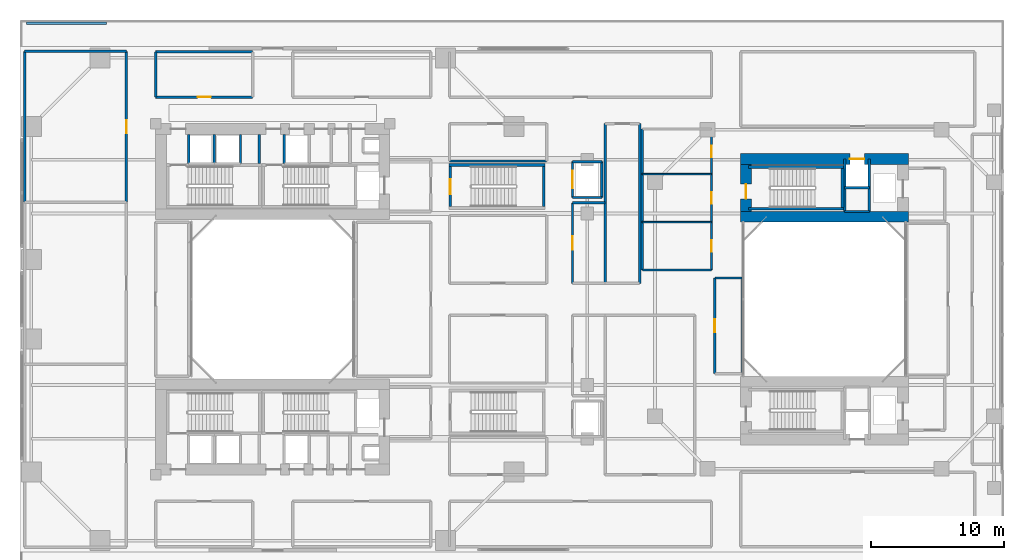
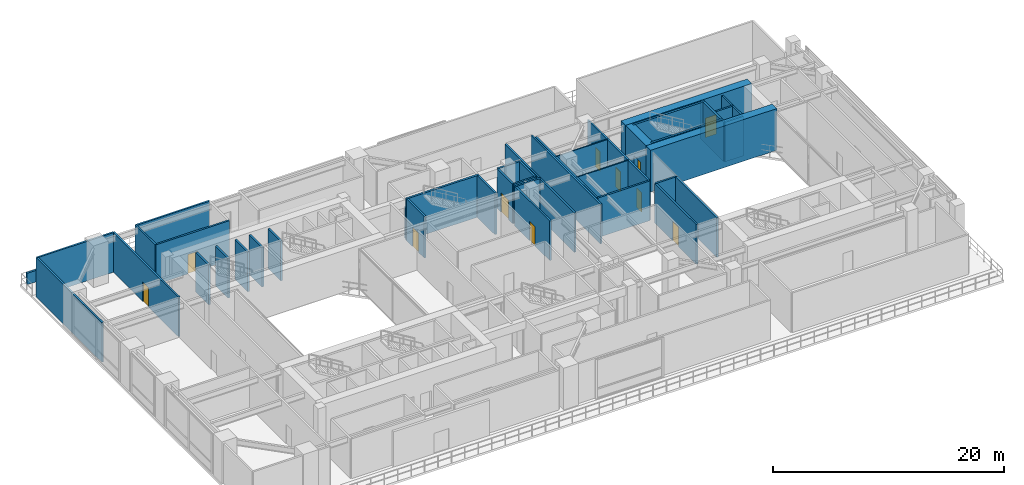
# One storey, part 13 of 19: 42 walls, 11 doors, 11 openings.
"""IFC4 building model written with IfcOpenShell, lengths in metres."""

from ifc_helpers import new_model, si_unit, direction, frame, frame_2d, origin, place, context, subcontext, project, spatial, rectangle, extrude, source, transform, mapped, material, layer, layer_set, type_object, element, fill, save


model = new_model("IFC4")

# Units and contexts
model_context = context("Model", 3, precision=1e-05, world=origin(), true_north=direction((0.0, 1.0)))
body_context = subcontext(model_context, "Body", "Model", "MODEL_VIEW")
ifc_project = project(units=[si_unit("LENGTHUNIT", "METRE"), si_unit("AREAUNIT", "SQUARE_METRE"), si_unit("VOLUMEUNIT", "CUBIC_METRE"), si_unit("PLANEANGLEUNIT", "RADIAN"), si_unit("MASSUNIT", "GRAM", prefix="KILO"), si_unit("THERMODYNAMICTEMPERATUREUNIT", "KELVIN"), si_unit("POWERUNIT", "WATT")], contexts=[model_context])

# Site, building, storey
site_placement = place(None, origin())
site = spatial("IfcSite", under=ifc_project, at=site_placement, CompositionType="ELEMENT")
building_placement = place(site_placement, origin())
building = spatial("IfcBuilding", under=site, at=building_placement, Name="Qiaomeng Ring Towers", CompositionType="ELEMENT")
storey_placement = place(building_placement, frame((0.0, 0.0, 9.39990234375)))
storey = spatial("IfcBuildingStorey", under=building, at=storey_placement, Name="L02", CompositionType="ELEMENT", Elevation=9.39990234375)

# Walls
ifc_material_1 = material(Name="Precast concrete C40", Category="concrete")
ifc_layer_1 = layer(ifc_material_1, 0.199951171875, Name="Precast concrete C40")
ifc_layer_set_1 = layer_set([ifc_layer_1], Name="Precast concrete C40")
wall_type_1 = type_object("IfcWallType", Name="ARC-WL-PP1", PredefinedType="PARAPET", material=ifc_layer_set_1)
wall_1_placement = place(storey_placement, frame((0.5, 43.75, 0.0), z_axis=(0.0, 0.0, 1.0), x_axis=(1.0, 0.0, 0.0)))
element("IfcWall", 1, at=wall_1_placement, inside=storey, type_object=wall_type_1, Name="L02 North Terrace Parapet PP1", PredefinedType="PARAPET", context=body_context, shape_type="SweptSolid", body=[
    extrude(rectangle(XDim=6.0, YDim=0.199951171875, at=frame_2d((3.0, 0.0))), origin(), (0.0, 0.0, 1.0), 1.2001953125),
])
ifc_material_2 = material(Name="Autoclaved aerated concrete block", Category="concrete")
ifc_layer_2 = layer(ifc_material_2, 0.199951171875, Name="Autoclaved aerated concrete block")
ifc_layer_set_2 = layer_set([ifc_layer_2], Name="Autoclaved aerated concrete block")
wall_type_2 = type_object("IfcWallType", Name="ARC-WL-PW1", PredefinedType="PARTITIONING", material=ifc_layer_set_2)
for number, where, z_axis, x_axis, name in (
    (2, (12.679931640625, 33.18994140625, 0.0), (0.0, 0.0, 1.0), (0.0, 1.0, 0.0), "L02 Interior Wall PW1"),
    (3, (18.0, 33.18994140625, 0.0), (0.0, 0.0, 1.0), (0.0, 1.0, 0.0), "L02 Interior Wall PW1"),
    (4, (19.8798828125, 33.18994140625, 0.0), (0.0, 0.0, 1.0), (0.0, 1.0, 0.0), "L02 Interior Wall PW1"),
):
    element("IfcWall", number, at=place(storey_placement, frame(where, z_axis=z_axis, x_axis=x_axis)), inside=storey, type_object=wall_type_2, Name=name, PredefinedType="PARTITIONING", context=body_context, shape_type="SweptSolid", body=[
        extrude(rectangle(XDim=2.2099609375, YDim=0.199951171875, at=frame_2d((1.10498046875, 0.0))), origin(), (0.0, 0.0, 1.0), 4.18017578125),
    ])

# Wall, openings, doors
ifc_layer_3 = layer(ifc_material_2, 0.179931640625, Name="Autoclaved aerated concrete block")
ifc_layer_set_3 = layer_set([ifc_layer_3], Name="Autoclaved aerated concrete block")
wall_type_3 = type_object("IfcWallType", Name="ARC-WL-PW2", PredefinedType="PARTITIONING", material=ifc_layer_set_3)
wall_2_placement = place(storey_placement, frame((52.0, 25.199951171875, 0.0), z_axis=(0.0, 0.0, 1.0), x_axis=(0.0, 1.0, 0.0)))
wall_2 = element("IfcWall", 5, at=wall_2_placement, inside=storey, type_object=wall_type_3, Name="L02 Interior Wall PW2", PredefinedType="PARTITIONING", context=body_context, shape_type="SweptSolid", body=[
    extrude(rectangle(XDim=10.60009765625, YDim=0.179931640625, at=frame_2d((5.300048828125, 0.0))), origin(), (0.0, 0.0, 1.0), 4.18017578125),
])
opening_1_placement = place(wall_2_placement, frame((1.375, 0.0, 0.0)))
opening_1 = element("IfcOpeningElement", 6, at=opening_1_placement, cuts=wall_2, Name="Opening ID2", PredefinedType="OPENING", context=body_context, shape_type="SweptSolid", body=[
    extrude(rectangle(XDim=0.85009765625, YDim=2.050048828125, at=frame_2d((0.425048828125, 1.02490234375))), frame((0.0, 0.099853515625, 0.0), z_axis=(0.0, -1.0, 0.0), x_axis=(1.0, 0.0, 0.0)), (0.0, 0.0, 1.0), 0.199951171875),
])
opening_2_placement = place(wall_2_placement, frame((4.97998046875, 0.0, 0.0)))
opening_2 = element("IfcOpeningElement", 7, at=opening_2_placement, cuts=wall_2, Name="Opening ID2", PredefinedType="OPENING", context=body_context, shape_type="SweptSolid", body=[
    extrude(rectangle(XDim=0.85009765625, YDim=2.050048828125, at=frame_2d((0.425048828125, 1.02490234375))), frame((0.0, 0.099853515625, 0.0), z_axis=(0.0, -1.0, 0.0), x_axis=(1.0, 0.0, 0.0)), (0.0, 0.0, 1.0), 0.199951171875),
])
opening_3_placement = place(wall_2_placement, frame((8.47998046875, 0.0, 0.0)))
opening_3 = element("IfcOpeningElement", 8, at=opening_3_placement, cuts=wall_2, Name="Opening ID2", PredefinedType="OPENING", context=body_context, shape_type="SweptSolid", body=[
    extrude(rectangle(XDim=0.85009765625, YDim=2.050048828125, at=frame_2d((0.425048828125, 1.02490234375))), frame((0.0, 0.099853515625, 0.0), z_axis=(0.0, -1.0, 0.0), x_axis=(1.0, 0.0, 0.0)), (0.0, 0.0, 1.0), 0.199951171875),
])
ifc_material_3 = material(Name="Moisture-resistant engineered timber", Category="wood")
door_type_1 = type_object("IfcDoorType", Name="ARC-DR-ID2", OperationType="NOTDEFINED", PredefinedType="DOOR", material=ifc_material_3)
shared_shape_1 = source(origin(), body_context, "Body", "SweptSolid", [
    extrude(rectangle(XDim=0.85009765625, YDim=2.050048828125, at=frame_2d((0.425048828125, 1.02490234375))), frame((0.0, 0.02490234375, 0.0), z_axis=(0.0, -1.0, 0.0), x_axis=(1.0, 0.0, 0.0)), (0.0, 0.0, 1.0), 0.050048828125),
])
door_1_placement = place(opening_1_placement, origin())
door_1 = element("IfcDoor", 9, at=door_1_placement, inside=storey, type_object=door_type_1, Name="L02 Door ID2", OperationType="SINGLE_SWING_RIGHT", OverallHeight=2.050048828125, OverallWidth=0.85009765625, PredefinedType="DOOR", context=body_context, shape_type="MappedRepresentation", body=[
    mapped(shared_shape_1, transform((0.0, 0.0, 0.0), x_axis=(1.0, 0.0, 0.0), y_axis=(0.0, 1.0, 0.0), z_axis=(0.0, 0.0, 1.0), scale=1.0)),
])
fill(opening_1, door_1)
door_2_placement = place(opening_2_placement, origin())
door_2 = element("IfcDoor", 10, at=door_2_placement, inside=storey, type_object=door_type_1, Name="L02 Door ID2", OperationType="SINGLE_SWING_LEFT", OverallHeight=2.050048828125, OverallWidth=0.85009765625, PredefinedType="DOOR", context=body_context, shape_type="MappedRepresentation", body=[
    mapped(shared_shape_1, transform((0.0, 0.0, 0.0), x_axis=(1.0, 0.0, 0.0), y_axis=(0.0, 1.0, 0.0), z_axis=(0.0, 0.0, 1.0), scale=1.0)),
])
fill(opening_2, door_2)
door_3_placement = place(opening_3_placement, origin())
door_3 = element("IfcDoor", 11, at=door_3_placement, inside=storey, type_object=door_type_1, Name="L02 Door ID2", OperationType="SINGLE_SWING_RIGHT", OverallHeight=2.050048828125, OverallWidth=0.85009765625, PredefinedType="DOOR", context=body_context, shape_type="MappedRepresentation", body=[
    mapped(shared_shape_1, transform((0.0, 0.0, 0.0), x_axis=(1.0, 0.0, 0.0), y_axis=(0.0, 1.0, 0.0), z_axis=(0.0, 0.0, 1.0), scale=1.0)),
])
fill(opening_3, door_3)

# Walls
wall_3_placement = place(storey_placement, frame((46.800048828125, 25.199951171875, 0.0), z_axis=(0.0, 0.0, 1.0), x_axis=(0.0, 1.0, 0.0)))
element("IfcWall", 12, at=wall_3_placement, inside=storey, type_object=wall_type_3, Name="L02 Interior Wall PW2", PredefinedType="PARTITIONING", context=body_context, shape_type="SweptSolid", body=[
    extrude(rectangle(XDim=10.60009765625, YDim=0.179931640625, at=frame_2d((5.300048828125, 0.0))), origin(), (0.0, 0.0, 1.0), 4.18017578125),
])
wall_4_placement = place(storey_placement, frame((46.800048828125, 25.199951171875, 0.0), z_axis=(0.0, 0.0, 1.0), x_axis=(1.0, 0.0, 0.0)))
element("IfcWall", 13, at=wall_4_placement, inside=storey, type_object=wall_type_3, Name="L02 Interior Wall PW2", PredefinedType="PARTITIONING", context=body_context, shape_type="SweptSolid", body=[
    extrude(rectangle(XDim=5.199951171875, YDim=0.179931640625, at=frame_2d((2.60009765625, 0.0))), origin(), (0.0, 0.0, 1.0), 4.18017578125),
])
wall_5_placement = place(storey_placement, frame((0.35009765625, 41.64990234375, 0.0), z_axis=(0.0, 0.0, 1.0), x_axis=(1.0, 0.0, 0.0)))
element("IfcWall", 14, at=wall_5_placement, inside=storey, type_object=wall_type_3, Name="L02 Interior Wall PW2", PredefinedType="PARTITIONING", context=body_context, shape_type="SweptSolid", body=[
    extrude(rectangle(XDim=7.64990234375, YDim=0.179931640625, at=frame_2d((3.824951171875, 0.0))), origin(), (0.0, 0.0, 1.0), 4.18017578125),
])
wall_6_placement = place(storey_placement, frame((0.35009765625, 30.300048828125, 0.0), z_axis=(0.0, 0.0, 1.0), x_axis=(0.0, 1.0, 0.0)))
element("IfcWall", 15, at=wall_6_placement, inside=storey, type_object=wall_type_3, Name="L02 Interior Wall PW2", PredefinedType="PARTITIONING", context=body_context, shape_type="SweptSolid", body=[
    extrude(rectangle(XDim=11.349853515625, YDim=0.179931640625, at=frame_2d((5.6748046875, 0.0))), origin(), (0.0, 0.0, 1.0), 4.18017578125),
])

# Wall, opening, door
wall_7_placement = place(storey_placement, frame((8.0, 30.300048828125, 0.0), z_axis=(0.0, 0.0, 1.0), x_axis=(0.0, 1.0, 0.0)))
wall_7 = element("IfcWall", 16, at=wall_7_placement, inside=storey, type_object=wall_type_3, Name="L02 Interior Wall PW2", PredefinedType="PARTITIONING", context=body_context, shape_type="SweptSolid", body=[
    extrude(rectangle(XDim=11.349853515625, YDim=0.179931640625, at=frame_2d((5.6748046875, 0.0))), origin(), (0.0, 0.0, 1.0), 4.18017578125),
])
opening_4_placement = place(wall_7_placement, frame((5.175048828125, 0.0, 0.0)))
opening_4 = element("IfcOpeningElement", 17, at=opening_4_placement, cuts=wall_7, Name="Opening FD4", PredefinedType="OPENING", context=body_context, shape_type="SweptSolid", body=[
    extrude(rectangle(XDim=1.0, YDim=2.050048828125, at=frame_2d((0.5, 1.02490234375))), frame((0.0, 0.099853515625, 0.0), z_axis=(0.0, -1.0, 0.0), x_axis=(1.0, 0.0, 0.0)), (0.0, 0.0, 1.0), 0.199951171875),
])
ifc_material_4 = material(Name="Engineered fire-rated oak timber", Category="wood")
door_type_2 = type_object("IfcDoorType", Name="ARC-DR-FD4", OperationType="NOTDEFINED", PredefinedType="DOOR", material=ifc_material_4)
shared_shape_2 = source(origin(), body_context, "Body", "SweptSolid", [
    extrude(rectangle(XDim=1.0, YDim=2.050048828125, at=frame_2d((0.5, 1.02490234375))), frame((0.0, 0.02490234375, 0.0), z_axis=(0.0, -1.0, 0.0), x_axis=(1.0, 0.0, 0.0)), (0.0, 0.0, 1.0), 0.050048828125),
])
door_4_placement = place(opening_4_placement, origin())
door_4 = element("IfcDoor", 18, at=door_4_placement, inside=storey, type_object=door_type_2, Name="L02 L02 Rehabilitation Physiotherapy Gymnasium Door", OperationType="SINGLE_SWING_LEFT", OverallHeight=2.050048828125, OverallWidth=1.0, PredefinedType="DOOR", context=body_context, shape_type="MappedRepresentation", body=[
    mapped(shared_shape_2, transform((0.0, 0.0, 0.0), x_axis=(1.0, 0.0, 0.0), y_axis=(0.0, 1.0, 0.0), z_axis=(0.0, 0.0, 1.0), scale=1.0)),
])
fill(opening_4, door_4)

# Walls
wall_8_placement = place(storey_placement, frame((32.300048828125, 33.39990234375, 0.0), z_axis=(0.0, 0.0, 1.0), x_axis=(1.0, 0.0, 0.0)))
element("IfcWall", 19, at=wall_8_placement, inside=storey, type_object=wall_type_3, Name="L02 Interior Wall PW2", PredefinedType="PARTITIONING", context=body_context, shape_type="SweptSolid", body=[
    extrude(rectangle(XDim=7.300048828125, YDim=0.179931640625, at=frame_2d((3.64990234375, 0.0))), origin(), (0.0, 0.0, 1.0), 3.3251953125),
])
for number, where, z_axis, x_axis, name in (
    (20, (44.0, 24.199951171875, 0.0), (0.0, 0.0, 1.0), (0.0, 1.0, 0.0), "L02 Interior Wall PW2"),
    (21, (46.60009765625, 24.199951171875, 0.0), (0.0, 0.0, 1.0), (0.0, 1.0, 0.0), "L02 Interior Wall PW2"),
):
    element("IfcWall", number, at=place(storey_placement, frame(where, z_axis=z_axis, x_axis=x_axis)), inside=storey, type_object=wall_type_3, Name=name, PredefinedType="PARTITIONING", context=body_context, shape_type="SweptSolid", body=[
        extrude(rectangle(XDim=12.0, YDim=0.179931640625, at=frame_2d((6.0, 0.0))), origin(), (0.0, 0.0, 1.0), 4.18017578125),
    ])
wall_9_placement = place(storey_placement, frame((41.550048828125, 30.25, 0.0), z_axis=(0.0, 0.0, 1.0), x_axis=(1.0, 0.0, 0.0)))
element("IfcWall", 22, at=wall_9_placement, inside=storey, type_object=wall_type_3, Name="L02 Interior Wall PW2", PredefinedType="PARTITIONING", context=body_context, shape_type="SweptSolid", body=[
    extrude(rectangle(XDim=2.449951171875, YDim=0.179931640625, at=frame_2d((1.22509765625, 0.0))), origin(), (0.0, 0.0, 1.0), 4.18017578125),
])

# Wall, opening, door
wall_10_placement = place(storey_placement, frame((41.550048828125, 24.199951171875, 0.0), z_axis=(0.0, 0.0, 1.0), x_axis=(0.0, 1.0, 0.0)))
wall_10 = element("IfcWall", 23, at=wall_10_placement, inside=storey, type_object=wall_type_3, Name="L02 Interior Wall PW2", PredefinedType="PARTITIONING", context=body_context, shape_type="SweptSolid", body=[
    extrude(rectangle(XDim=6.050048828125, YDim=0.179931640625, at=frame_2d((3.02490234375, 0.0))), origin(), (0.0, 0.0, 1.0), 4.18017578125),
])
opening_5_placement = place(wall_10_placement, frame((2.52490234375, 0.0, 0.0)))
opening_5 = element("IfcOpeningElement", 24, at=opening_5_placement, cuts=wall_10, Name="Opening FD4", PredefinedType="OPENING", context=body_context, shape_type="SweptSolid", body=[
    extrude(rectangle(XDim=1.0, YDim=2.050048828125, at=frame_2d((0.5, 1.02490234375))), frame((0.0, 0.099853515625, 0.0), z_axis=(0.0, -1.0, 0.0), x_axis=(1.0, 0.0, 0.0)), (0.0, 0.0, 1.0), 0.199951171875),
])
door_5_placement = place(opening_5_placement, origin())
door_5 = element("IfcDoor", 25, at=door_5_placement, inside=storey, type_object=door_type_2, Name="L02 L02 Health Informatics Office Door", OperationType="SINGLE_SWING_RIGHT", OverallHeight=2.050048828125, OverallWidth=1.0, PredefinedType="DOOR", context=body_context, shape_type="MappedRepresentation", body=[
    mapped(shared_shape_2, transform((0.0, 0.0, 0.0), x_axis=(1.0, 0.0, 0.0), y_axis=(0.0, 1.0, 0.0), z_axis=(0.0, 0.0, 1.0), scale=1.0)),
])
fill(opening_5, door_5)

# Wall
wall_11_placement = place(storey_placement, frame((52.25, 24.60009765625, 0.0), z_axis=(0.0, 0.0, 1.0), x_axis=(1.0, 0.0, 0.0)))
element("IfcWall", 26, at=wall_11_placement, inside=storey, type_object=wall_type_3, Name="L02 Interior Wall PW2", PredefinedType="PARTITIONING", context=body_context, shape_type="SweptSolid", body=[
    extrude(rectangle(XDim=2.050048828125, YDim=0.179931640625, at=frame_2d((1.02490234375, 0.0))), origin(), (0.0, 0.0, 1.0), 4.18017578125),
])

# Wall, opening, door
wall_12_placement = place(storey_placement, frame((52.25, 17.39990234375, 0.0), z_axis=(0.0, 0.0, 1.0), x_axis=(0.0, 1.0, 0.0)))
wall_12 = element("IfcWall", 27, at=wall_12_placement, inside=storey, type_object=wall_type_3, Name="L02 Interior Wall PW2", PredefinedType="PARTITIONING", context=body_context, shape_type="SweptSolid", body=[
    extrude(rectangle(XDim=7.2001953125, YDim=0.179931640625, at=frame_2d((3.60009765625, 0.0))), origin(), (0.0, 0.0, 1.0), 4.18017578125),
])
opening_6_placement = place(wall_12_placement, frame((3.10009765625, 0.0, 0.0)))
opening_6 = element("IfcOpeningElement", 28, at=opening_6_placement, cuts=wall_12, Name="Opening FD4", PredefinedType="OPENING", context=body_context, shape_type="SweptSolid", body=[
    extrude(rectangle(XDim=1.0, YDim=2.050048828125, at=frame_2d((0.5, 1.02490234375))), frame((0.0, 0.099853515625, 0.0), z_axis=(0.0, -1.0, 0.0), x_axis=(1.0, 0.0, 0.0)), (0.0, 0.0, 1.0), 0.199951171875),
])
door_6_placement = place(opening_6_placement, origin())
door_6 = element("IfcDoor", 29, at=door_6_placement, inside=storey, type_object=door_type_2, Name="L02 L02 Audiology Screening Clinic Door", OperationType="SINGLE_SWING_RIGHT", OverallHeight=2.050048828125, OverallWidth=1.0, PredefinedType="DOOR", context=body_context, shape_type="MappedRepresentation", body=[
    mapped(shared_shape_2, transform((0.0, 0.0, 0.0), x_axis=(1.0, 0.0, 0.0), y_axis=(0.0, 1.0, 0.0), z_axis=(0.0, 0.0, 1.0), scale=1.0)),
])
fill(opening_6, door_6)

# Wall
wall_13_placement = place(storey_placement, frame((54.300048828125, 17.39990234375, 0.0), z_axis=(0.0, 0.0, 1.0), x_axis=(0.0, 1.0, 0.0)))
element("IfcWall", 30, at=wall_13_placement, inside=storey, type_object=wall_type_3, Name="L02 Interior Wall PW2", PredefinedType="PARTITIONING", context=body_context, shape_type="SweptSolid", body=[
    extrude(rectangle(XDim=7.2001953125, YDim=0.179931640625, at=frame_2d((3.60009765625, 0.0))), origin(), (0.0, 0.0, 1.0), 4.18017578125),
])

# Wall, opening, door
wall_14_placement = place(storey_placement, frame((10.199951171875, 38.199951171875, 0.0), z_axis=(0.0, 0.0, 1.0), x_axis=(1.0, 0.0, 0.0)))
wall_14 = element("IfcWall", 31, at=wall_14_placement, inside=storey, type_object=wall_type_3, Name="L02 Interior Wall PW2", PredefinedType="PARTITIONING", context=body_context, shape_type="SweptSolid", body=[
    extrude(rectangle(XDim=7.300048828125, YDim=0.179931640625, at=frame_2d((3.64990234375, 0.0))), origin(), (0.0, 0.0, 1.0), 4.18017578125),
])
opening_7_placement = place(wall_14_placement, frame((3.14990234375, 0.0, 0.0)))
opening_7 = element("IfcOpeningElement", 32, at=opening_7_placement, cuts=wall_14, Name="Opening FD4", PredefinedType="OPENING", context=body_context, shape_type="SweptSolid", body=[
    extrude(rectangle(XDim=1.0, YDim=2.050048828125, at=frame_2d((0.5, 1.02490234375))), frame((0.0, 0.099853515625, 0.0), z_axis=(0.0, -1.0, 0.0), x_axis=(1.0, 0.0, 0.0)), (0.0, 0.0, 1.0), 0.199951171875),
])
door_7_placement = place(opening_7_placement, origin())
door_7 = element("IfcDoor", 33, at=door_7_placement, inside=storey, type_object=door_type_2, Name="L02 L02 Pediatric Care Clinic Door", OperationType="SINGLE_SWING_RIGHT", OverallHeight=2.050048828125, OverallWidth=1.0, PredefinedType="DOOR", context=body_context, shape_type="MappedRepresentation", body=[
    mapped(shared_shape_2, transform((0.0, 0.0, 0.0), x_axis=(1.0, 0.0, 0.0), y_axis=(0.0, 1.0, 0.0), z_axis=(0.0, 0.0, 1.0), scale=1.0)),
])
fill(opening_7, door_7)

# Walls
wall_15_placement = place(storey_placement, frame((10.199951171875, 41.60009765625, 0.0), z_axis=(0.0, 0.0, 1.0), x_axis=(1.0, 0.0, 0.0)))
element("IfcWall", 34, at=wall_15_placement, inside=storey, type_object=wall_type_3, Name="L02 Interior Wall PW2", PredefinedType="PARTITIONING", context=body_context, shape_type="SweptSolid", body=[
    extrude(rectangle(XDim=7.300048828125, YDim=0.179931640625, at=frame_2d((3.64990234375, 0.0))), origin(), (0.0, 0.0, 1.0), 4.18017578125),
])
wall_16_placement = place(storey_placement, frame((10.199951171875, 38.199951171875, 0.0), z_axis=(0.0, 0.0, 1.0), x_axis=(0.0, 1.0, 0.0)))
element("IfcWall", 35, at=wall_16_placement, inside=storey, type_object=wall_type_3, Name="L02 Interior Wall PW2", PredefinedType="PARTITIONING", context=body_context, shape_type="SweptSolid", body=[
    extrude(rectangle(XDim=3.400146484375, YDim=0.179931640625, at=frame_2d((1.7001953125, 0.0))), origin(), (0.0, 0.0, 1.0), 4.18017578125),
])
ifc_material_5 = material(Name="Moisture-resistant gypsum steel-stud partition", Category="steel")
ifc_layer_4 = layer(ifc_material_5, 0.1201171875, Name="Moisture-resistant gypsum steel-stud partition")
ifc_layer_set_4 = layer_set([ifc_layer_4], Name="Moisture-resistant gypsum steel-stud partition")
wall_type_4 = type_object("IfcWallType", Name="ARC-WL-PW4", PredefinedType="PLUMBINGWALL", material=ifc_layer_set_4)
for number, where, z_axis, x_axis, name in (
    (36, (46.800048828125, 28.800048828125, 0.0), (0.0, 0.0, 1.0), (1.0, 0.0, 0.0), "L02 Interior Wall PW4"),
    (37, (46.800048828125, 32.409912109375, 0.0), (0.0, 0.0, 1.0), (1.0, 0.0, 0.0), "L02 Interior Wall PW4"),
):
    element("IfcWall", number, at=place(storey_placement, frame(where, z_axis=z_axis, x_axis=x_axis)), inside=storey, type_object=wall_type_4, Name=name, PredefinedType="PLUMBINGWALL", context=body_context, shape_type="SweptSolid", body=[
        extrude(rectangle(XDim=5.199951171875, YDim=0.1201171875, at=frame_2d((2.60009765625, 0.0))), origin(), (0.0, 0.0, 1.0), 4.18017578125),
    ])
ifc_material_6 = material(Name="Concrete C40", Category="concrete")
ifc_layer_5 = layer(ifc_material_6, 0.199951171875, Name="Concrete C40")
ifc_layer_set_5 = layer_set([ifc_layer_5], Name="Concrete C40")
wall_type_5 = type_object("IfcWallType", Name="STR-WL-STSHAFT", PredefinedType="SHEAR", material=ifc_layer_set_5)
for number, where, z_axis, x_axis, name in (
    (38, (14.6201171875, 33.199951171875, 0.0), (0.0, 0.0, 1.0), (0.0, 1.0, 0.0), "L02 Lift LP5-LP3 Shaft Divider Wall"),
    (39, (16.580078125, 33.199951171875, 0.0), (0.0, 0.0, 1.0), (0.0, 1.0, 0.0), "L02 Lift LP3 East Shaft Wall"),
):
    element("IfcWall", number, at=place(storey_placement, frame(where, z_axis=z_axis, x_axis=x_axis)), inside=storey, type_object=wall_type_5, Name=name, PredefinedType="SHEAR", context=body_context, shape_type="SweptSolid", body=[
        extrude(rectangle(XDim=2.199951171875, YDim=0.179931640625, at=frame_2d((1.10009765625, 0.0))), origin(), (0.0, 0.0, 1.0), 4.18017578125),
    ])
for number, where, z_axis, x_axis, name in (
    (40, (62.02001953125, 29.60009765625, 0.0), (0.0, 0.0, 1.0), (0.0, 1.0, 0.0), "L02 Companion Lift Shaft West Wall N"),
    (41, (63.8798828125, 29.60009765625, 0.0), (0.0, 0.0, 1.0), (0.0, 1.0, 0.0), "L02 Companion Lift Shaft East Wall N"),
):
    element("IfcWall", number, at=place(storey_placement, frame(where, z_axis=z_axis, x_axis=x_axis)), inside=storey, type_object=wall_type_5, Name=name, PredefinedType="SHEAR", context=body_context, shape_type="SweptSolid", body=[
        extrude(rectangle(XDim=3.949951171875, YDim=0.179931640625, at=frame_2d((1.97509765625, 0.0))), origin(), (0.0, 0.0, 1.0), 4.18017578125),
    ])
for number, where, z_axis, x_axis, name in (
    (42, (62.02001953125, 31.3798828125, 0.0), (0.0, 0.0, 1.0), (1.0, 0.0, 0.0), "L02 Companion Lift Shaft Divider Wall N"),
    (43, (62.02001953125, 29.60009765625, 0.0), (0.0, 0.0, 1.0), (1.0, 0.0, 0.0), "L02 Companion Riser Shaft Back Wall N"),
):
    element("IfcWall", number, at=place(storey_placement, frame(where, z_axis=z_axis, x_axis=x_axis)), inside=storey, type_object=wall_type_5, Name=name, PredefinedType="SHEAR", context=body_context, shape_type="SweptSolid", body=[
        extrude(rectangle(XDim=1.85986328125, YDim=0.179931640625, at=frame_2d((0.929931640625, 0.0))), origin(), (0.0, 0.0, 1.0), 4.18017578125),
    ])

# Wall, opening, door
wall_17_placement = place(storey_placement, frame((41.550048828125, 30.64990234375, 0.0), z_axis=(0.0, 0.0, 1.0), x_axis=(0.0, 1.0, 0.0)))
wall_17 = element("IfcWall", 44, at=wall_17_placement, inside=storey, type_object=wall_type_5, Name="L02 Medical Lift LP9 West Shaft Wall", PredefinedType="SHEAR", context=body_context, shape_type="SweptSolid", body=[
    extrude(rectangle(XDim=2.7001953125, YDim=0.179931640625, at=frame_2d((1.35009765625, 0.0))), origin(), (0.0, 0.0, 1.0), 4.18017578125),
])
opening_8_placement = place(wall_17_placement, frame((0.699951171875, 0.0, 0.0)))
opening_8 = element("IfcOpeningElement", 45, at=opening_8_placement, cuts=wall_17, Name="Opening LD2", PredefinedType="OPENING", context=body_context, shape_type="SweptSolid", body=[
    extrude(rectangle(XDim=1.300048828125, YDim=2.050048828125, at=frame_2d((0.64990234375, 1.02490234375))), frame((0.0, 0.099853515625, 0.0), z_axis=(0.0, -1.0, 0.0), x_axis=(1.0, 0.0, 0.0)), (0.0, 0.0, 1.0), 0.199951171875),
])
ifc_material_7 = material(Name="Stainless steel 316", Category="steel")
door_type_3 = type_object("IfcDoorType", Name="ARC-DR-LD2", OperationType="NOTDEFINED", PredefinedType="DOOR", material=ifc_material_7)
shared_shape_3 = source(origin(), body_context, "Body", "SweptSolid", [
    extrude(rectangle(XDim=1.300048828125, YDim=2.050048828125, at=frame_2d((0.64990234375, 1.02490234375))), frame((0.0, 0.02490234375, 0.0), z_axis=(0.0, -1.0, 0.0), x_axis=(1.0, 0.0, 0.0)), (0.0, 0.0, 1.0), 0.050048828125),
])
door_8_placement = place(opening_8_placement, origin())
door_8 = element("IfcDoor", 46, at=door_8_placement, inside=storey, type_object=door_type_3, Name="L02 Medical Lift LP9 Landing Door", OperationType="SLIDING_TO_LEFT", OverallHeight=2.050048828125, OverallWidth=1.300048828125, PredefinedType="DOOR", context=body_context, shape_type="MappedRepresentation", body=[
    mapped(shared_shape_3, transform((0.0, 0.0, 0.0), x_axis=(1.0, 0.0, 0.0), y_axis=(0.0, 1.0, 0.0), z_axis=(0.0, 0.0, 1.0), scale=1.0)),
])
fill(opening_8, door_8)

# Walls
wall_18_placement = place(storey_placement, frame((43.75, 30.64990234375, 0.0), z_axis=(0.0, 0.0, 1.0), x_axis=(0.0, 1.0, 0.0)))
element("IfcWall", 47, at=wall_18_placement, inside=storey, type_object=wall_type_5, Name="L02 Medical Lift LP9 East Shaft Wall", PredefinedType="SHEAR", context=body_context, shape_type="SweptSolid", body=[
    extrude(rectangle(XDim=2.7001953125, YDim=0.179931640625, at=frame_2d((1.35009765625, 0.0))), origin(), (0.0, 0.0, 1.0), 4.18017578125),
])
for number, where, z_axis, x_axis, name in (
    (48, (41.550048828125, 30.64990234375, 0.0), (0.0, 0.0, 1.0), (1.0, 0.0, 0.0), "L02 Medical Lift LP9 South Shaft Wall"),
    (49, (41.550048828125, 33.35009765625, 0.0), (0.0, 0.0, 1.0), (1.0, 0.0, 0.0), "L02 Medical Lift LP9 North Shaft Wall"),
):
    element("IfcWall", number, at=place(storey_placement, frame(where, z_axis=z_axis, x_axis=x_axis)), inside=storey, type_object=wall_type_5, Name=name, PredefinedType="SHEAR", context=body_context, shape_type="SweptSolid", body=[
        extrude(rectangle(XDim=2.199951171875, YDim=0.179931640625, at=frame_2d((1.10009765625, 0.0))), origin(), (0.0, 0.0, 1.0), 4.18017578125),
    ])
for number, where, z_axis, x_axis, name in (
    (50, (54.800048828125, 29.800048828125, 0.0), (0.0, 0.0, 1.0), (1.0, 0.0, 0.0), "L02 Stair ST5 South Shaft Shear Wall"),
    (51, (54.800048828125, 32.93994140625, 0.0), (0.0, 0.0, 1.0), (1.0, 0.0, 0.0), "L02 Stair ST5 North Shaft Shear Wall"),
):
    element("IfcWall", number, at=place(storey_placement, frame(where, z_axis=z_axis, x_axis=x_axis)), inside=storey, type_object=wall_type_5, Name=name, PredefinedType="SHEAR", context=body_context, shape_type="SweptSolid", body=[
        extrude(rectangle(XDim=7.14990234375, YDim=0.199951171875, at=frame_2d((3.574951171875, 0.0))), origin(), (0.0, 0.0, 1.0), 4.400146484375),
    ])
wall_19_placement = place(storey_placement, frame((61.85009765625, 29.89990234375, 0.0), z_axis=(0.0, 0.0, 1.0), x_axis=(0.0, 1.0, 0.0)))
element("IfcWall", 52, at=wall_19_placement, inside=storey, type_object=wall_type_5, Name="L02 Stair ST5 East Shaft Shear Wall", PredefinedType="SHEAR", context=body_context, shape_type="SweptSolid", body=[
    extrude(rectangle(XDim=2.940185546875, YDim=0.199951171875, at=frame_2d((1.47021484375, 0.0))), origin(), (0.0, 0.0, 1.0), 4.400146484375),
])
wall_20_placement = place(storey_placement, frame((32.25, 33.10009765625, 0.0), z_axis=(0.0, 0.0, 1.0), x_axis=(1.0, 0.0, 0.0)))
element("IfcWall", 53, at=wall_20_placement, inside=storey, type_object=wall_type_5, Name="L02 Stair ST7 North Shaft Shear Wall", PredefinedType="SHEAR", context=body_context, shape_type="SweptSolid", body=[
    extrude(rectangle(XDim=7.25, YDim=0.199951171875, at=frame_2d((3.625, 0.0))), origin(), (0.0, 0.0, 1.0), 4.400146484375),
])

# Wall, opening, door
wall_21_placement = place(storey_placement, frame((32.35009765625, 29.9599609375, 0.0), z_axis=(0.0, 0.0, 1.0), x_axis=(0.0, 1.0, 0.0)))
wall_21 = element("IfcWall", 54, at=wall_21_placement, inside=storey, type_object=wall_type_5, Name="L02 Stair ST7 West Shaft Shear Wall", PredefinedType="SHEAR", context=body_context, shape_type="SweptSolid", body=[
    extrude(rectangle(XDim=3.0400390625, YDim=0.199951171875, at=frame_2d((1.52001953125, 0.0))), origin(), (0.0, 0.0, 1.0), 4.400146484375),
])
opening_9_placement = place(wall_21_placement, frame((0.949951171875, 0.0, 0.0)))
opening_9 = element("IfcOpeningElement", 55, at=opening_9_placement, cuts=wall_21, Name="Opening FD3", PredefinedType="OPENING", context=body_context, shape_type="SweptSolid", body=[
    extrude(rectangle(XDim=1.10009765625, YDim=2.050048828125, at=frame_2d((0.550048828125, 1.02490234375))), frame((0.0, 0.10986328125, 0.0), z_axis=(0.0, -1.0, 0.0), x_axis=(1.0, 0.0, 0.0)), (0.0, 0.0, 1.0), 0.219970703125),
])
ifc_material_8 = material(Name="Galvanised steel", Category="steel")
door_type_4 = type_object("IfcDoorType", Name="ARC-DR-FD3", OperationType="NOTDEFINED", PredefinedType="DOOR", material=ifc_material_8)
shared_shape_4 = source(origin(), body_context, "Body", "SweptSolid", [
    extrude(rectangle(XDim=1.10009765625, YDim=2.050048828125, at=frame_2d((0.550048828125, 1.02490234375))), frame((0.0, 0.02490234375, 0.0), z_axis=(0.0, -1.0, 0.0), x_axis=(1.0, 0.0, 0.0)), (0.0, 0.0, 1.0), 0.050048828125),
])
door_9_placement = place(opening_9_placement, origin())
door_9 = element("IfcDoor", 56, at=door_9_placement, inside=storey, type_object=door_type_4, Name="L02 Podium Stair ST7 Exit Door", OperationType="SINGLE_SWING_RIGHT", OverallHeight=2.050048828125, OverallWidth=1.10009765625, PredefinedType="DOOR", context=body_context, shape_type="MappedRepresentation", body=[
    mapped(shared_shape_4, transform((0.0, 0.0, 0.0), x_axis=(1.0, 0.0, 0.0), y_axis=(0.0, 1.0, 0.0), z_axis=(0.0, 0.0, 1.0), scale=1.0)),
])
fill(opening_9, door_9)

# Walls
wall_22_placement = place(storey_placement, frame((39.39990234375, 29.9599609375, 0.0), z_axis=(0.0, 0.0, 1.0), x_axis=(0.0, 1.0, 0.0)))
element("IfcWall", 57, at=wall_22_placement, inside=storey, type_object=wall_type_5, Name="L02 Stair ST7 East Shaft Shear Wall", PredefinedType="SHEAR", context=body_context, shape_type="SweptSolid", body=[
    extrude(rectangle(XDim=3.0400390625, YDim=0.199951171875, at=frame_2d((1.52001953125, 0.0))), origin(), (0.0, 0.0, 1.0), 4.400146484375),
])
ifc_material_9 = material(Name="Concrete C60", Category="concrete")
ifc_layer_6 = layer(ifc_material_9, 0.800048828125, Name="Concrete C60")
ifc_layer_set_6 = layer_set([ifc_layer_6], Name="Concrete C60")
wall_type_6 = type_object("IfcWallType", Name="STR-WL-SW1", PredefinedType="SHEAR", material=ifc_layer_set_6)
wall_23_placement = place(storey_placement, frame((54.199951171875, 29.199951171875, 0.0), z_axis=(0.0, 0.0, 1.0), x_axis=(1.0, 0.0, 0.0)))
element("IfcWall", 58, at=wall_23_placement, inside=storey, type_object=wall_type_6, Name="L02 T2NC south core shear wall", PredefinedType="SHEAR", context=body_context, shape_type="SweptSolid", body=[
    extrude(rectangle(XDim=12.60009765625, YDim=0.800048828125, at=frame_2d((6.300048828125, 0.0))), origin(), (0.0, 0.0, 1.0), 4.400146484375),
])

# Wall, opening, door
wall_24_placement = place(storey_placement, frame((54.199951171875, 33.550048828125, 0.0), z_axis=(0.0, 0.0, 1.0), x_axis=(1.0, 0.0, 0.0)))
wall_24 = element("IfcWall", 59, at=wall_24_placement, inside=storey, type_object=wall_type_6, Name="L02 T2NC north core shear wall", PredefinedType="SHEAR", context=body_context, shape_type="SweptSolid", body=[
    extrude(rectangle(XDim=12.60009765625, YDim=0.800048828125, at=frame_2d((6.300048828125, 0.0))), origin(), (0.0, 0.0, 1.0), 4.400146484375),
])
opening_10_placement = place(wall_24_placement, frame((8.199951171875, 0.0, 0.0)))
opening_10 = element("IfcOpeningElement", 60, at=opening_10_placement, cuts=wall_24, Name="Opening LD1", PredefinedType="OPENING", context=body_context, shape_type="SweptSolid", body=[
    extrude(rectangle(XDim=1.10009765625, YDim=2.050048828125, at=frame_2d((0.550048828125, 1.02490234375))), frame((0.0, 0.409912109375, 0.0), z_axis=(0.0, -1.0, 0.0), x_axis=(1.0, 0.0, 0.0)), (0.0, 0.0, 1.0), 0.820068359375),
])
door_type_5 = type_object("IfcDoorType", Name="ARC-DR-LD1", OperationType="NOTDEFINED", PredefinedType="DOOR", material=ifc_material_7)
door_10_placement = place(opening_10_placement, origin())
door_10 = element("IfcDoor", 61, at=door_10_placement, inside=storey, type_object=door_type_5, Name="L02 Companion Lift LP7 Landing Door", OperationType="SLIDING_TO_LEFT", OverallHeight=2.050048828125, OverallWidth=1.10009765625, PredefinedType="DOOR", context=body_context, shape_type="MappedRepresentation", body=[
    mapped(shared_shape_4, transform((0.0, 0.0, 0.0), x_axis=(1.0, 0.0, 0.0), y_axis=(0.0, 1.0, 0.0), z_axis=(0.0, 0.0, 1.0), scale=1.0)),
])
fill(opening_10, door_10)

wall_25_placement = place(storey_placement, frame((54.60009765625, 29.60009765625, 0.0), z_axis=(0.0, 0.0, 1.0), x_axis=(0.0, 1.0, 0.0)))
wall_25 = element("IfcWall", 62, at=wall_25_placement, inside=storey, type_object=wall_type_6, Name="L02 T2NC west core shear wall", PredefinedType="SHEAR", context=body_context, shape_type="SweptSolid", body=[
    extrude(rectangle(XDim=3.5498046875, YDim=0.800048828125, at=frame_2d((1.77490234375, 0.0))), origin(), (0.0, 0.0, 1.0), 4.400146484375),
])
opening_11_placement = place(wall_25_placement, frame((0.949951171875, 0.0, 0.0)))
opening_11 = element("IfcOpeningElement", 63, at=opening_11_placement, cuts=wall_25, Name="Opening FD3", PredefinedType="OPENING", context=body_context, shape_type="SweptSolid", body=[
    extrude(rectangle(XDim=1.10009765625, YDim=2.050048828125, at=frame_2d((0.550048828125, 1.02490234375))), frame((0.0, 0.409912109375, 0.0), z_axis=(0.0, -1.0, 0.0), x_axis=(1.0, 0.0, 0.0)), (0.0, 0.0, 1.0), 0.820068359375),
])
door_11_placement = place(opening_11_placement, origin())
door_11 = element("IfcDoor", 64, at=door_11_placement, inside=storey, type_object=door_type_4, Name="L02 Stair ST5 Exit Door", OperationType="SINGLE_SWING_LEFT", OverallHeight=2.050048828125, OverallWidth=1.10009765625, PredefinedType="DOOR", context=body_context, shape_type="MappedRepresentation", body=[
    mapped(shared_shape_4, transform((0.0, 0.0, 0.0), x_axis=(1.0, 0.0, 0.0), y_axis=(0.0, 1.0, 0.0), z_axis=(0.0, 0.0, 1.0), scale=1.0)),
])
fill(opening_11, door_11)

save(model, "model.ifc")
